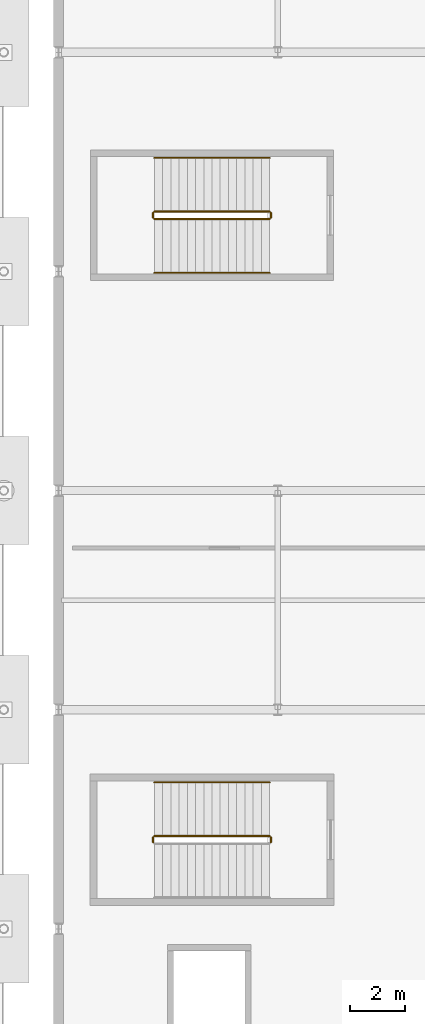
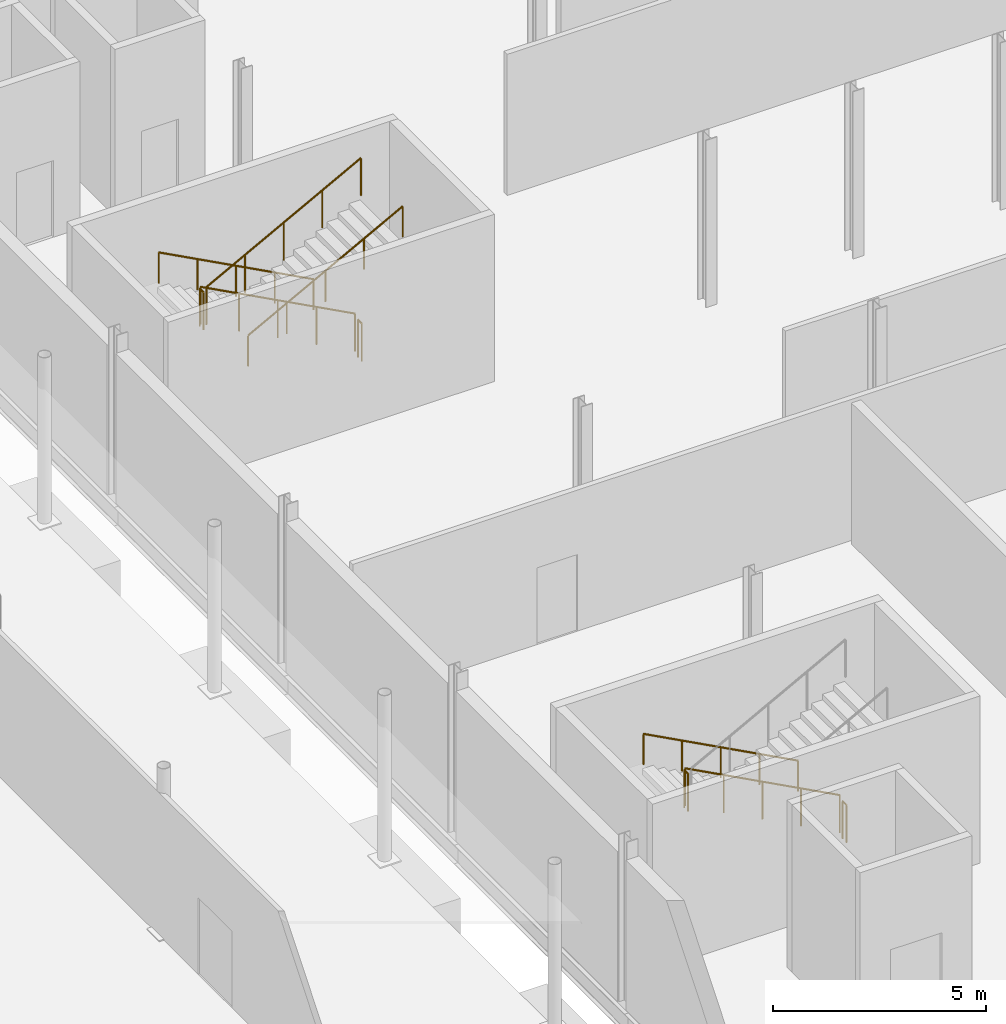
# One storey, part 97 of 101: 10 railings.
"""IFC4 building model written with IfcOpenShell, lengths in metres."""

from ifc_helpers import new_model, si_unit, derived_unit, direction, frame, origin, origin_2d, place, context, subcontext, project, spatial, circle, extrude, material, type_object, element, save


model = new_model("IFC4")

# Units and contexts
model_context = context("Model", 3, precision=1e-05, world=origin(), true_north=direction((0.0, 1.0)))
body_context = subcontext(model_context, "Body", "Model", "MODEL_VIEW")
ifc_project = project(units=[si_unit("LENGTHUNIT", "METRE"), si_unit("AREAUNIT", "SQUARE_METRE"), si_unit("VOLUMEUNIT", "CUBIC_METRE"), si_unit("PLANEANGLEUNIT", "RADIAN"), si_unit("MASSUNIT", "GRAM", prefix="KILO"), derived_unit("THERMALTRANSMITTANCEUNIT", [(si_unit("POWERUNIT", "WATT"), 1), (si_unit("LENGTHUNIT", "METRE"), -2), (si_unit("THERMODYNAMICTEMPERATUREUNIT", "KELVIN"), -1)])], contexts=[model_context])

# Site, building, storey
site_placement = place(None, origin())
site = spatial("IfcSite", under=ifc_project, at=site_placement, CompositionType="ELEMENT")
building_placement = place(site_placement, origin())
building = spatial("IfcBuilding", under=site, at=building_placement, Name="Keldorne Ridge Multi-Sports Centre", CompositionType="ELEMENT")
storey_placement = place(building_placement, origin())
storey = spatial("IfcBuildingStorey", under=building, at=storey_placement, Name="L00", CompositionType="ELEMENT", Elevation=0.0)

# Railings
ifc_material_1 = material(Name="Laminated glass and stainless steel", Category="steel")
railing_type_1 = type_object("IfcRailingType", Name="RLG-BL-01", PredefinedType="BALUSTRADE", material=ifc_material_1)
railing_1_placement = place(storey_placement, frame((111.699951171875, 77.389892578125, 0.159912109375)))
element("IfcRailing", 1, at=railing_1_placement, inside=storey, type_object=railing_type_1, Name="L00 ST-02 stair guard 1", PredefinedType="BALUSTRADE", context=body_context, shape_type="SweptSolid", body=[
    extrude(circle(Radius=0.02392578125, at=origin_2d()), frame((0.0, 0.0, 1.076171875), z_axis=(-0.882351521365, 0.0, 0.470590897432), x_axis=(0.0, -1.0, 0.0)), (0.0, 0.0, 1.0), 4.760009765625),
    extrude(circle(Radius=0.02099609375, at=origin_2d()), origin(), (0.0, 0.0, 1.0), 1.052001953125),
    extrude(circle(Radius=0.02099609375, at=origin_2d()), frame((-1.050048828125, 0.0, 0.56005859375)), (0.0, 0.0, 1.0), 1.052001953125),
    extrude(circle(Radius=0.02099609375, at=origin_2d()), frame((-2.10009765625, 0.0, 1.1201171875)), (0.0, 0.0, 1.0), 1.052001953125),
    extrude(circle(Radius=0.02099609375, at=origin_2d()), frame((-3.14990234375, 0.0, 1.679931640625)), (0.0, 0.0, 1.0), 1.052001953125),
    extrude(circle(Radius=0.02099609375, at=origin_2d()), frame((-4.199951171875, 0.0, 2.239990234375)), (0.0, 0.0, 1.0), 1.052001953125),
])
for number, where, name in (
    (2, (107.449951171875, 77.340087890625, 2.39990234375), "L00 ST-02 stair guard 2"),
    (3, (111.75, 77.340087890625, 0.0), "L00 ST-02 stair guard 4"),
):
    element("IfcRailing", number, at=place(storey_placement, frame(where)), inside=storey, type_object=railing_type_1, Name=name, PredefinedType="BALUSTRADE", context=body_context, shape_type="SweptSolid", body=[
        extrude(circle(Radius=0.02392578125, at=origin_2d()), frame((0.0, 0.0, 1.076171875), z_axis=(0.0, -1.0, 0.0), x_axis=(1.0, 0.0, 0.0)), (0.0, 0.0, 1.0), 0.18017578125),
        extrude(circle(Radius=0.02099609375, at=origin_2d()), origin(), (0.0, 0.0, 1.0), 1.052001953125),
        extrude(circle(Radius=0.02099609375, at=origin_2d()), frame((0.0, -0.18017578125, 0.0)), (0.0, 0.0, 1.0), 1.052001953125),
    ])
railing_2_placement = place(storey_placement, frame((111.699951171875, 100.18994140625, 0.159912109375)))
element("IfcRailing", 4, at=railing_2_placement, inside=storey, type_object=railing_type_1, Name="L00 ST-11 stair guard 1", PredefinedType="BALUSTRADE", context=body_context, shape_type="SweptSolid", body=[
    extrude(circle(Radius=0.02392578125, at=origin_2d()), frame((0.0, 0.0, 1.076171875), z_axis=(-0.882351521365, 0.0, 0.470590897432), x_axis=(0.0, -1.0, 0.0)), (0.0, 0.0, 1.0), 4.760009765625),
    extrude(circle(Radius=0.02099609375, at=origin_2d()), origin(), (0.0, 0.0, 1.0), 1.052001953125),
    extrude(circle(Radius=0.02099609375, at=origin_2d()), frame((-1.050048828125, 0.0, 0.56005859375)), (0.0, 0.0, 1.0), 1.052001953125),
    extrude(circle(Radius=0.02099609375, at=origin_2d()), frame((-2.10009765625, 0.0, 1.1201171875)), (0.0, 0.0, 1.0), 1.052001953125),
    extrude(circle(Radius=0.02099609375, at=origin_2d()), frame((-3.14990234375, 0.0, 1.679931640625)), (0.0, 0.0, 1.0), 1.052001953125),
    extrude(circle(Radius=0.02099609375, at=origin_2d()), frame((-4.199951171875, 0.0, 2.239990234375)), (0.0, 0.0, 1.0), 1.052001953125),
])
railing_3_placement = place(storey_placement, frame((107.449951171875, 100.139892578125, 2.39990234375)))
element("IfcRailing", 5, at=railing_3_placement, inside=storey, type_object=railing_type_1, Name="L00 ST-11 stair guard 2", PredefinedType="BALUSTRADE", context=body_context, shape_type="SweptSolid", body=[
    extrude(circle(Radius=0.02392578125, at=origin_2d()), frame((0.0, 0.0, 1.076171875), z_axis=(0.0, -1.0, 0.0), x_axis=(1.0, 0.0, 0.0)), (0.0, 0.0, 1.0), 0.179931640625),
    extrude(circle(Radius=0.02099609375, at=origin_2d()), origin(), (0.0, 0.0, 1.0), 1.052001953125),
    extrude(circle(Radius=0.02099609375, at=origin_2d()), frame((0.0, -0.179931640625, 0.0)), (0.0, 0.0, 1.0), 1.052001953125),
])
railing_4_placement = place(storey_placement, frame((107.5, 99.909912109375, 2.56005859375)))
element("IfcRailing", 6, at=railing_4_placement, inside=storey, type_object=railing_type_1, Name="L00 ST-11 stair guard 3", PredefinedType="BALUSTRADE", context=body_context, shape_type="SweptSolid", body=[
    extrude(circle(Radius=0.02392578125, at=origin_2d()), frame((0.0, 0.0, 1.076171875), z_axis=(0.882351521365, 0.0, 0.470590897432), x_axis=(0.0, 1.0, 0.0)), (0.0, 0.0, 1.0), 4.760009765625),
    extrude(circle(Radius=0.02099609375, at=origin_2d()), origin(), (0.0, 0.0, 1.0), 1.052001953125),
    extrude(circle(Radius=0.02099609375, at=origin_2d()), frame((1.050048828125, 0.0, 0.56005859375)), (0.0, 0.0, 1.0), 1.052001953125),
    extrude(circle(Radius=0.02099609375, at=origin_2d()), frame((2.10009765625, 0.0, 1.1201171875)), (0.0, 0.0, 1.0), 1.052001953125),
    extrude(circle(Radius=0.02099609375, at=origin_2d()), frame((3.14990234375, 0.0, 1.679931640625)), (0.0, 0.0, 1.0), 1.052001953125),
    extrude(circle(Radius=0.02099609375, at=origin_2d()), frame((4.199951171875, 0.0, 2.239990234375)), (0.0, 0.0, 1.0), 1.052001953125),
])
railing_5_placement = place(storey_placement, frame((111.75, 100.139892578125, 0.0)))
element("IfcRailing", 7, at=railing_5_placement, inside=storey, type_object=railing_type_1, Name="L00 ST-11 stair guard 4", PredefinedType="BALUSTRADE", context=body_context, shape_type="SweptSolid", body=[
    extrude(circle(Radius=0.02392578125, at=origin_2d()), frame((0.0, 0.0, 1.076171875), z_axis=(0.0, -1.0, 0.0), x_axis=(1.0, 0.0, 0.0)), (0.0, 0.0, 1.0), 0.179931640625),
    extrude(circle(Radius=0.02099609375, at=origin_2d()), origin(), (0.0, 0.0, 1.0), 1.052001953125),
    extrude(circle(Radius=0.02099609375, at=origin_2d()), frame((0.0, -0.179931640625, 0.0)), (0.0, 0.0, 1.0), 1.052001953125),
])
ifc_material_2 = material(Name="Stainless steel", Category="steel")
railing_type_2 = type_object("IfcRailingType", Name="RLG-HR-01", PredefinedType="HANDRAIL", material=ifc_material_2)
for number, where, name in (
    (8, (111.699951171875, 79.35009765625, 0.159912109375), "L00 ST-02 stair handrail 1"),
    (9, (111.699951171875, 102.14990234375, 0.159912109375), "L00 ST-11 stair handrail 1"),
):
    element("IfcRailing", number, at=place(storey_placement, frame(where)), inside=storey, type_object=railing_type_2, Name=name, PredefinedType="HANDRAIL", context=body_context, shape_type="SweptSolid", body=[
        extrude(circle(Radius=0.02392578125, at=origin_2d()), frame((0.0, 0.0, 0.8759765625), z_axis=(-0.882351521365, 0.0, 0.470590897432), x_axis=(0.0, -1.0, 0.0)), (0.0, 0.0, 1.0), 4.760009765625),
        extrude(circle(Radius=0.02099609375, at=origin_2d()), origin(), (0.0, 0.0, 1.0), 0.851806640625),
        extrude(circle(Radius=0.02099609375, at=origin_2d()), frame((-1.050048828125, 0.0, 0.56005859375)), (0.0, 0.0, 1.0), 0.851806640625),
        extrude(circle(Radius=0.02099609375, at=origin_2d()), frame((-2.10009765625, 0.0, 1.1201171875)), (0.0, 0.0, 1.0), 0.851806640625),
        extrude(circle(Radius=0.02099609375, at=origin_2d()), frame((-3.14990234375, 0.0, 1.679931640625)), (0.0, 0.0, 1.0), 0.851806640625),
        extrude(circle(Radius=0.02099609375, at=origin_2d()), frame((-4.199951171875, 0.0, 2.239990234375)), (0.0, 0.0, 1.0), 0.851806640625),
    ])
railing_6_placement = place(storey_placement, frame((107.5, 97.949951171875, 2.56005859375)))
element("IfcRailing", 10, at=railing_6_placement, inside=storey, type_object=railing_type_2, Name="L00 ST-11 stair handrail 2", PredefinedType="HANDRAIL", context=body_context, shape_type="SweptSolid", body=[
    extrude(circle(Radius=0.02392578125, at=origin_2d()), frame((0.0, 0.0, 0.8759765625), z_axis=(0.882351521365, 0.0, 0.470590897432), x_axis=(0.0, 1.0, 0.0)), (0.0, 0.0, 1.0), 4.760009765625),
    extrude(circle(Radius=0.02099609375, at=origin_2d()), origin(), (0.0, 0.0, 1.0), 0.851806640625),
    extrude(circle(Radius=0.02099609375, at=origin_2d()), frame((1.050048828125, 0.0, 0.56005859375)), (0.0, 0.0, 1.0), 0.851806640625),
    extrude(circle(Radius=0.02099609375, at=origin_2d()), frame((2.10009765625, 0.0, 1.1201171875)), (0.0, 0.0, 1.0), 0.851806640625),
    extrude(circle(Radius=0.02099609375, at=origin_2d()), frame((3.14990234375, 0.0, 1.679931640625)), (0.0, 0.0, 1.0), 0.851806640625),
    extrude(circle(Radius=0.02099609375, at=origin_2d()), frame((4.199951171875, 0.0, 2.239990234375)), (0.0, 0.0, 1.0), 0.851806640625),
])

save(model, "model.ifc")
